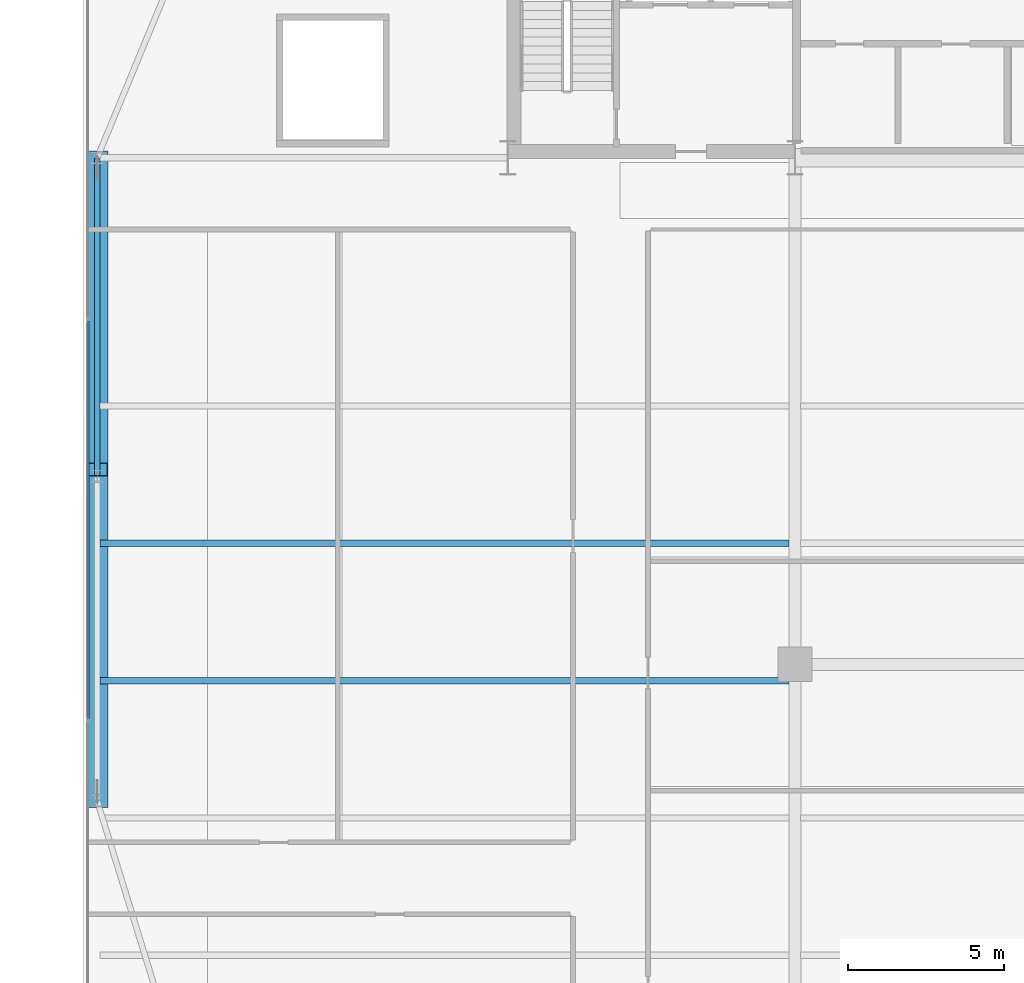
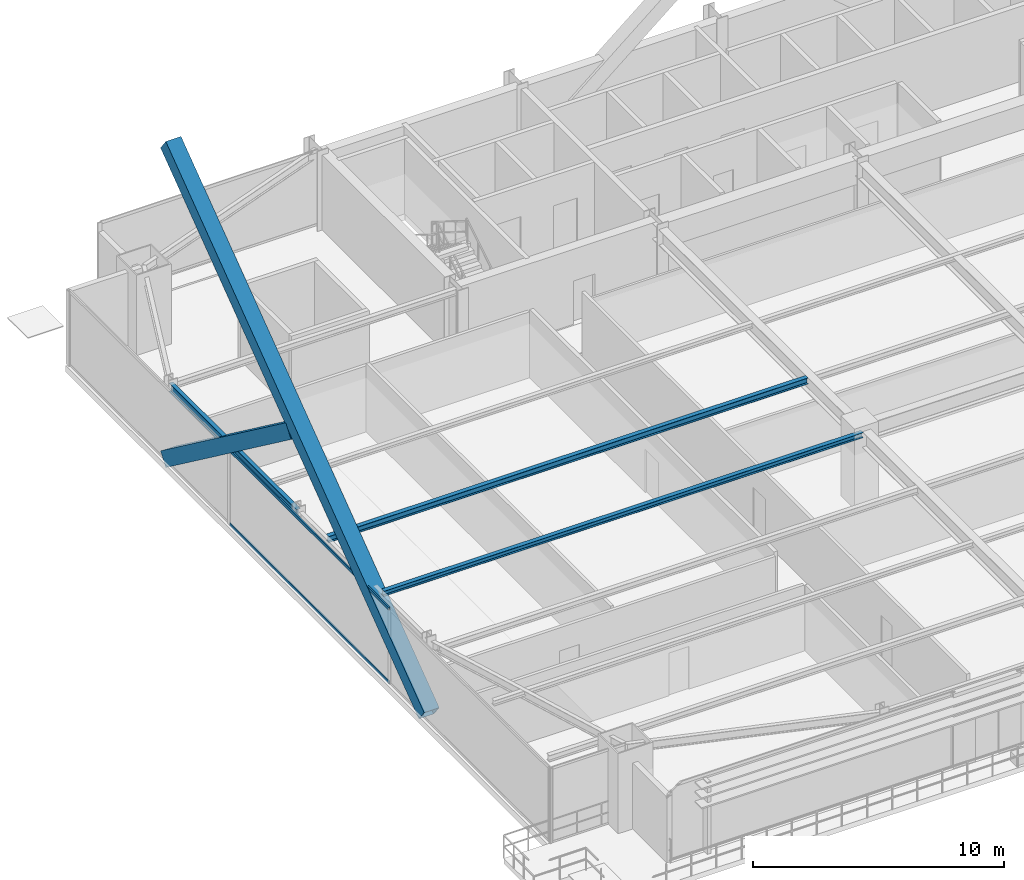
# One storey, part 8 of 34: 4 members, 3 beams, 1 element without a shape of its own.
"""IFC4 building model written with IfcOpenShell, lengths in metres."""

from ifc_helpers import new_model, si_unit, direction, frame, origin, origin_2d, place, context, subcontext, project, spatial, hollow_rectangle, i_section, extrude, source, transform, mapped, material, layer, layer_set, material_profile, profile_set, type_object, type_shapes, element, aggregate, save


model = new_model("IFC4")

# Units and contexts
model_context = context("Model", 3, precision=1e-05, world=origin(), true_north=direction((0.0, 1.0)))
body_context = subcontext(model_context, "Body", "Model", "MODEL_VIEW")
ifc_project = project(units=[si_unit("LENGTHUNIT", "METRE"), si_unit("AREAUNIT", "SQUARE_METRE"), si_unit("VOLUMEUNIT", "CUBIC_METRE"), si_unit("PLANEANGLEUNIT", "RADIAN"), si_unit("MASSUNIT", "GRAM", prefix="KILO")], contexts=[model_context])

# Site, building, storey
site_placement = place(None, origin())
site = spatial("IfcSite", under=ifc_project, at=site_placement, CompositionType="ELEMENT")
building_placement = place(site_placement, origin())
building = spatial("IfcBuilding", under=site, at=building_placement, Name="Varnel Quay Broadcast Tower", CompositionType="ELEMENT")
storey_placement = place(building_placement, frame((0.0, 0.0, 27.60009765625)))
storey = spatial("IfcBuildingStorey", under=building, at=storey_placement, Name="L05", CompositionType="ELEMENT", Elevation=27.60009765625)

# Beams
ifc_material_1 = material(Name="Structural Steel CSA G40.21 350W", Category="steel")
ifc_material_profile_1 = material_profile(ifc_material_1, i_section(OverallWidth=0.180908203125, OverallDepth=0.4169921875, WebThickness=0.010986328125, FlangeThickness=0.018310546875, FilletRadius=0.011962890625, at=origin_2d()), Name="W410X85")
ifc_profile_set_1 = profile_set([ifc_material_profile_1], Name="Structural Steel CSA G40.21 350W")
beam_type_1 = type_object("IfcBeamType", Name="Beam_W410X85", PredefinedType="SPANDREL", material=ifc_profile_set_1)
shared_shape_1 = source(origin(), body_context, "Body", "SweptSolid", [
    extrude(i_section(OverallWidth=0.180908203125, OverallDepth=0.4169921875, WebThickness=0.010986328125, FlangeThickness=0.018310546875, FilletRadius=0.011962890625, at=origin_2d()), origin(), (0.0, 0.0, 1.0), 10.16015625),
])
type_shapes(beam_type_1, [shared_shape_1])
beam_1_placement = place(storey_placement, frame((2.449951171875, 25.419921875, 3.44140625), z_axis=(0.0, 1.0, 0.0), x_axis=(-1.0, 0.0, 0.0)))
element("IfcBeam", 1, at=beam_1_placement, inside=storey, type_object=beam_type_1, Name="L05 West Spandrel TC-W2-TC-W3", PredefinedType="SPANDREL", context=body_context, shape_type="MappedRepresentation", body=[
    mapped(shared_shape_1, transform((0.0, 0.0, 0.0), x_axis=(1.0, 0.0, 0.0), y_axis=(0.0, 1.0, 0.0), z_axis=(0.0, 0.0, 1.0), scale=1.0)),
])
ifc_material_profile_2 = material_profile(ifc_material_1, i_section(OverallWidth=0.202880859375, OverallDepth=0.302978515625, WebThickness=0.007568359375, FlangeThickness=0.01318359375, FilletRadius=0.011962890625, at=origin_2d()), Name="W310X60")
ifc_profile_set_2 = profile_set([ifc_material_profile_2], Name="Structural Steel CSA G40.21 350W")
beam_type_2 = type_object("IfcBeamType", Name="Beam_W310X60", PredefinedType="JOIST", material=ifc_profile_set_2)
shared_shape_2 = source(origin(), body_context, "Body", "SweptSolid", [
    extrude(i_section(OverallWidth=0.202880859375, OverallDepth=0.302978515625, WebThickness=0.007568359375, FlangeThickness=0.01318359375, FilletRadius=0.011962890625, at=origin_2d()), origin(), (0.0, 0.0, 1.0), 22.0791015625),
])
type_shapes(beam_type_2, [shared_shape_2])
beam_2_placement = place(storey_placement, frame((2.535400390625, 23.25, 3.498291015625), z_axis=(1.0, 0.0, 0.0), x_axis=(0.0, 1.0, 0.0)))
element("IfcBeam", 2, at=beam_2_placement, inside=storey, type_object=beam_type_2, Name="L05 West Floor Joist 5", PredefinedType="JOIST", context=body_context, shape_type="MappedRepresentation", body=[
    mapped(shared_shape_2, transform((0.0, 0.0, 0.0), x_axis=(1.0, 0.0, 0.0), y_axis=(0.0, 1.0, 0.0), z_axis=(0.0, 0.0, 1.0), scale=1.0)),
])
ifc_material_profile_3 = material_profile(ifc_material_1, i_section(OverallWidth=0.201904296875, OverallDepth=0.2470703125, WebThickness=0.00732421875, FlangeThickness=0.010986328125, FilletRadius=0.010986328125, at=origin_2d()), Name="W250X49")
ifc_profile_set_3 = profile_set([ifc_material_profile_3], Name="Structural Steel CSA G40.21 350W")
beam_type_3 = type_object("IfcBeamType", Name="Beam_W250X49", PredefinedType="JOIST", material=ifc_profile_set_3)
shared_shape_3 = source(origin(), body_context, "Body", "SweptSolid", [
    extrude(i_section(OverallWidth=0.201904296875, OverallDepth=0.2470703125, WebThickness=0.00732421875, FlangeThickness=0.010986328125, FilletRadius=0.010986328125, at=origin_2d()), origin(), (0.0, 0.0, 1.0), 22.0791015625),
])
type_shapes(beam_type_3, [shared_shape_3])
beam_3_placement = place(storey_placement, frame((2.535400390625, 18.85009765625, 3.5263671875), z_axis=(1.0, 0.0, 0.0), x_axis=(0.0, 1.0, 0.0)))
element("IfcBeam", 3, at=beam_3_placement, inside=storey, type_object=beam_type_3, Name="L05 West Floor Joist 4", PredefinedType="JOIST", context=body_context, shape_type="MappedRepresentation", body=[
    mapped(shared_shape_3, transform((0.0, 0.0, 0.0), x_axis=(1.0, 0.0, 0.0), y_axis=(0.0, 1.0, 0.0), z_axis=(0.0, 0.0, 1.0), scale=1.0)),
])

# Members
ifc_material_2 = material(Name="Structural Steel CSA G40.21 350WT", Category="steel")
ifc_material_profile_4 = material_profile(ifc_material_2, hollow_rectangle(XDim=0.699951171875, YDim=0.699951171875, WallThickness=0.031982421875, at=origin_2d()), Name="BOX700X700X32")
ifc_profile_set_4 = profile_set([ifc_material_profile_4], Name="Structural Steel CSA G40.21 350WT")
member_type_1 = type_object("IfcMemberType", Name="Brace_BOX700X700X32", PredefinedType="BRACE", material=ifc_profile_set_4)
shared_shape_4 = source(origin(), body_context, "Body", "SweptSolid", [
    extrude(hollow_rectangle(XDim=0.699951171875, YDim=0.699951171875, WallThickness=0.031982421875, at=origin_2d()), origin(), (0.0, 0.0, 1.0), 25.666259765625),
])
member_1_placement = place(storey_placement, frame((2.449951171875, 15.0, 0.02001953125), z_axis=(0.0, 0.802615422948, 0.596496842277), x_axis=(-1.0, 0.0, 0.0)))
element("IfcMember", 4, at=member_1_placement, inside=storey, type_object=member_type_1, Name="Zone 1 Mega-Brace W-FT1 Continuous Diag A", PredefinedType="BRACE", context=body_context, shape_type="MappedRepresentation", body=[
    mapped(shared_shape_4, transform((0.0, 0.0, 0.0), x_axis=(1.0, 0.0, 0.0), y_axis=(0.0, 1.0, 0.0), z_axis=(0.0, 0.0, 1.0), scale=1.0)),
])
shared_shape_5 = source(origin(), body_context, "Body", "SweptSolid", [
    extrude(hollow_rectangle(XDim=0.699951171875, YDim=0.699951171875, WallThickness=0.031982421875, at=origin_2d()), origin(), (0.0, 0.0, 1.0), 12.442626953125),
])
type_shapes(member_type_1, [shared_shape_4, shared_shape_5])
member_2_placement = place(storey_placement, frame((2.449951171875, 35.60009765625, 0.02001953125), z_axis=(0.0, -0.80262468038, 0.596484385751), x_axis=(1.0, 0.0, 0.0)))
element("IfcMember", 5, at=member_2_placement, inside=storey, type_object=member_type_1, Name="Zone 1 Mega-Brace W-FT1 Split Diag B1", PredefinedType="BRACE", context=body_context, shape_type="MappedRepresentation", body=[
    mapped(shared_shape_5, transform((0.0, 0.0, 0.0), x_axis=(1.0, 0.0, 0.0), y_axis=(0.0, 1.0, 0.0), z_axis=(0.0, 0.0, 1.0), scale=1.0)),
])

# Curtain wall, members
ifc_material_3 = material(Name="Anodised Bronze Aluminium 6063-T6", Category="aluminium")
ifc_layer = layer(ifc_material_3, 0.18994140625, Name="Anodised Bronze Aluminium 6063-T6")
ifc_layer_set = layer_set([ifc_layer], Name="Anodised Bronze Aluminium 6063-T6")
curtain_wall_type = type_object("IfcCurtainWallType", Name="CW_LowerTower", PredefinedType="NOTDEFINED", material=ifc_layer_set)
curtain_wall_placement = place(storey_placement, origin())
curtain_wall = element("IfcCurtainWall", 6, at=curtain_wall_placement, inside=storey, type_object=curtain_wall_type, Name="L05 West Unitised Curtain Wall", PredefinedType="NOTDEFINED")
ifc_material_profile_5 = material_profile(ifc_material_3, hollow_rectangle(XDim=0.06005859375, YDim=0.14501953125, WallThickness=0.00341796875, at=origin_2d()), Name="ALU60X145X3.5")
ifc_profile_set_5 = profile_set([ifc_material_profile_5], Name="Anodised Bronze Aluminium 6063-T6")
member_type_2 = type_object("IfcMemberType", Name="Tran_CWS-02", PredefinedType="USERDEFINED", material=ifc_profile_set_5)
shared_shape_6 = source(origin(), body_context, "Body", "SweptSolid", [
    extrude(hollow_rectangle(XDim=0.06005859375, YDim=0.14501953125, WallThickness=0.00341796875, at=origin_2d()), origin(), (0.0, 0.0, 1.0), 12.72998046875),
])
type_shapes(member_type_2, [shared_shape_6])
member_3_placement = place(storey_placement, frame((2.14990234375, 17.635009765625, 0.02978515625), z_axis=(0.0, 1.0, 0.0), x_axis=(-1.0, 0.0, 0.0)))
member_3 = element("IfcMember", 7, at=member_3_placement, type_object=member_type_2, Name="CWS-02 transom 2.1", ObjectType="TRANSOM", PredefinedType="USERDEFINED", context=body_context, shape_type="MappedRepresentation", body=[
    mapped(shared_shape_6, transform((0.0, 0.0, 0.0), x_axis=(1.0, 0.0, 0.0), y_axis=(0.0, 1.0, 0.0), z_axis=(0.0, 0.0, 1.0), scale=1.0)),
])
member_4_placement = place(storey_placement, frame((2.14990234375, 17.635009765625, 3.619873046875), z_axis=(0.0, 1.0, 0.0), x_axis=(-1.0, 0.0, 0.0)))
member_4 = element("IfcMember", 8, at=member_4_placement, type_object=member_type_2, Name="CWS-02 transom 2.2", ObjectType="TRANSOM", PredefinedType="USERDEFINED", context=body_context, shape_type="MappedRepresentation", body=[
    mapped(shared_shape_6, transform((0.0, 0.0, 0.0), x_axis=(1.0, 0.0, 0.0), y_axis=(0.0, 1.0, 0.0), z_axis=(0.0, 0.0, 1.0), scale=1.0)),
])
aggregate(curtain_wall, [member_3, member_4])

save(model, "model.ifc")
